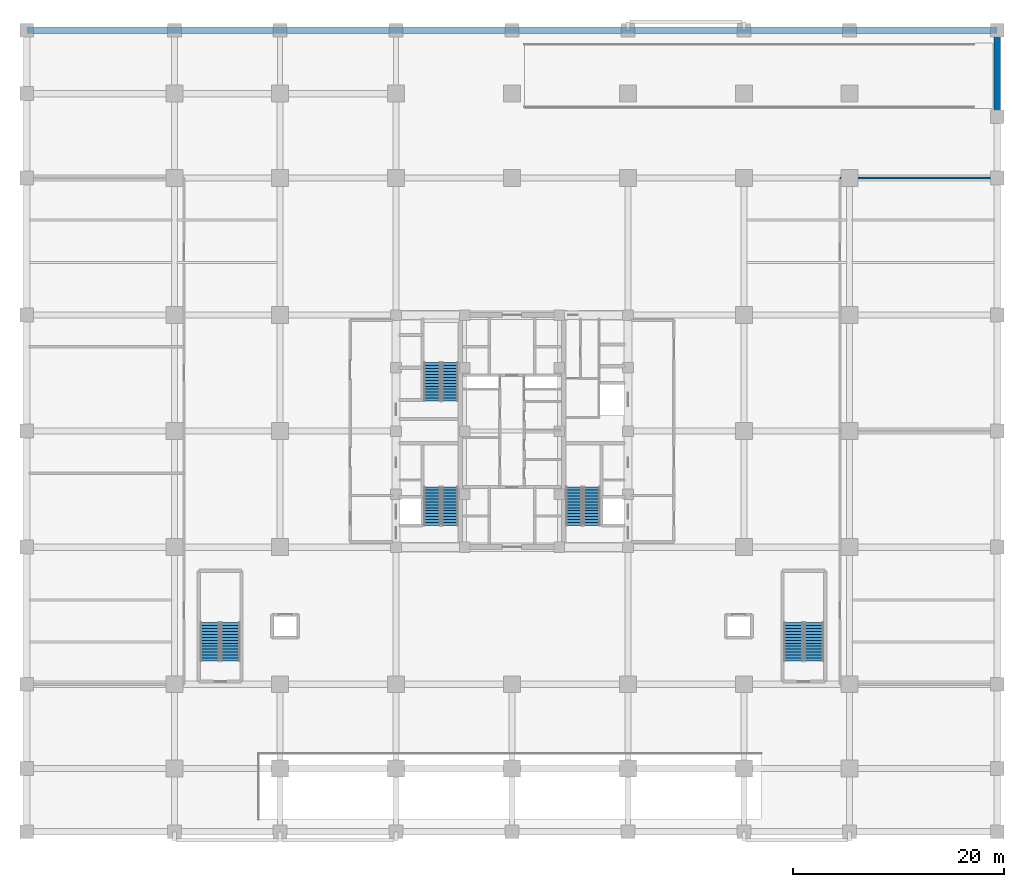
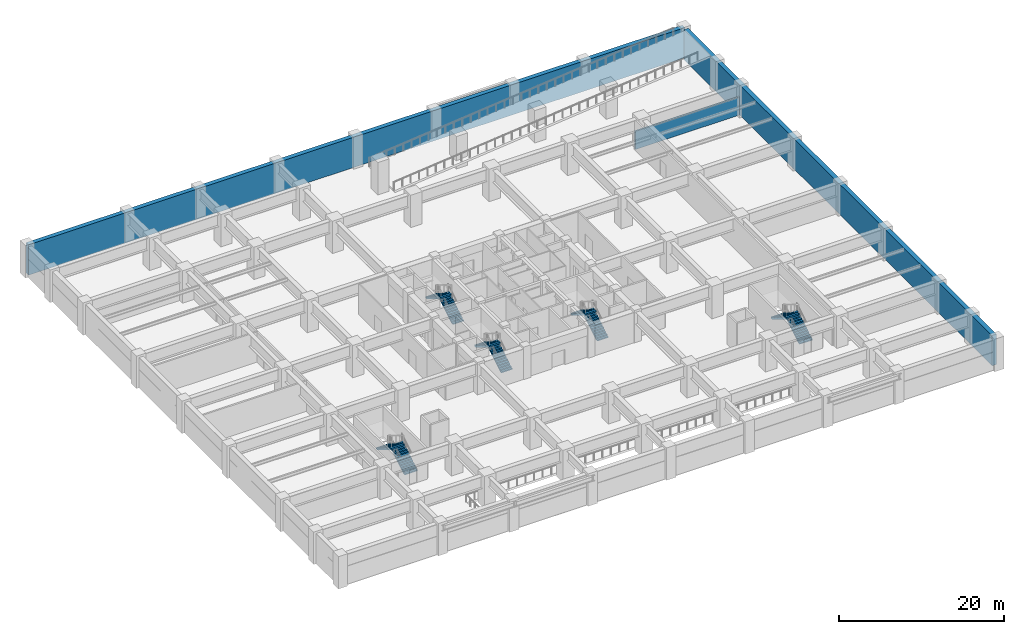
# One storey, part 8 of 13: 10 stair flights, 3 walls, 5 elements without a shape of their own.
"""IFC4 building model written with IfcOpenShell, lengths in metres."""

from ifc_helpers import new_model, si_unit, direction, frame, frame_2d, origin, place, context, subcontext, project, spatial, polyline, rectangle, outline, extrude, source, transform, mapped, material, layer, layer_set, type_object, element, aggregate, save


model = new_model("IFC4")

# Units and contexts
model_context = context("Model", 3, precision=1e-05, world=origin(), true_north=direction((0.0, 1.0)))
body_context = subcontext(model_context, "Body", "Model", "MODEL_VIEW")
ifc_project = project(units=[si_unit("LENGTHUNIT", "METRE"), si_unit("AREAUNIT", "SQUARE_METRE"), si_unit("VOLUMEUNIT", "CUBIC_METRE"), si_unit("PLANEANGLEUNIT", "RADIAN"), si_unit("MASSUNIT", "GRAM", prefix="KILO")], contexts=[model_context])

# Site, building, storey
site_placement = place(None, origin())
site = spatial("IfcSite", under=ifc_project, at=site_placement, CompositionType="ELEMENT")
building_placement = place(site_placement, origin())
building = spatial("IfcBuilding", under=site, at=building_placement, Name="Khorayat Bourse Tower", CompositionType="ELEMENT")
storey_placement = place(building_placement, frame((0.0, 0.0, -4.800048828125)))
storey = spatial("IfcBuildingStorey", under=building, at=storey_placement, Name="B01", CompositionType="ELEMENT", Elevation=-4.800048828125)

# Walls
ifc_material_1 = material(Name="Concrete C50/60", Category="concrete")
ifc_layer_1 = layer(ifc_material_1, 0.60009765625)
ifc_layer_set_1 = layer_set([ifc_layer_1], Name="Concrete C50/60")
wall_type_1 = type_object("IfcWallType", Name="WAL-RET-600", PredefinedType="USERDEFINED", material=ifc_layer_set_1)
shared_shape_1 = source(origin(), body_context, "Body", "SweptSolid", [
    extrude(rectangle(XDim=92.0, YDim=0.60009765625, at=frame_2d((46.0, 0.0))), origin(), (0.0, 0.0, 1.0), 4.47998046875),
])
wall_1_placement = place(storey_placement, frame((-46.0, 38.0, 0.0), z_axis=(0.0, 0.0, 1.0), x_axis=(1.0, 0.0, 0.0)))
element("IfcWall", 1, at=wall_1_placement, inside=storey, type_object=wall_type_1, Name="B01 Perimeter Retaining Wall N", ObjectType="RETAINING WALL", PredefinedType="USERDEFINED", context=body_context, shape_type="MappedRepresentation", body=[
    mapped(shared_shape_1, transform((0.0, 0.0, 0.0), scale=1.0)),
])
shared_shape_2 = source(origin(), body_context, "Body", "SweptSolid", [
    extrude(rectangle(XDim=74.7998046875, YDim=0.60009765625, at=frame_2d((37.39990234375, 0.0))), origin(), (0.0, 0.0, 1.0), 4.47998046875),
])
wall_2_placement = place(storey_placement, frame((46.0, -37.39990234375, 0.0), z_axis=(0.0, 0.0, 1.0), x_axis=(0.0, 1.0, 0.0)))
element("IfcWall", 2, at=wall_2_placement, inside=storey, type_object=wall_type_1, Name="B01 Perimeter Retaining Wall E", ObjectType="RETAINING WALL", PredefinedType="USERDEFINED", context=body_context, shape_type="MappedRepresentation", body=[
    mapped(shared_shape_2, transform((0.0, 0.0, 0.0), scale=1.0)),
])
ifc_material_2 = material(Name="Aerated concrete blockwork", Category="masonry")
ifc_layer_2 = layer(ifc_material_2, 0.219970703125)
ifc_layer_set_2 = layer_set([ifc_layer_2], Name="Aerated concrete blockwork")
wall_type_2 = type_object("IfcWallType", Name="WAL-PART-FF-220", PredefinedType="PARTITIONING", material=ifc_layer_set_2)
shared_shape_3 = source(origin(), body_context, "Body", "SweptSolid", [
    extrude(rectangle(XDim=14.699951171875, YDim=0.219970703125, at=frame_2d((7.35009765625, 0.0))), origin(), (0.0, 0.0, 1.0), 2.679931640625),
])
wall_3_placement = place(storey_placement, frame((31.10009765625, 24.0, 0.0), z_axis=(0.0, 0.0, 1.0), x_axis=(1.0, 0.0, 0.0)))
element("IfcWall", 3, at=wall_3_placement, inside=storey, type_object=wall_type_2, Name="B01 Partition WAL-B01-BE-N", PredefinedType="PARTITIONING", context=body_context, shape_type="MappedRepresentation", body=[
    mapped(shared_shape_3, transform((0.0, 0.0, 0.0), scale=1.0)),
])

# Stair, stair flights
ifc_material_3 = material(Name="Concrete C40/50", Category="concrete")
stair_type_1 = type_object("IfcStairType", Name="STR-CORE-1550", PredefinedType="HALF_TURN_STAIR", material=ifc_material_3)
stair_1_placement = place(storey_placement, origin())
stair_1 = element("IfcStair", 4, at=stair_1_placement, inside=storey, type_object=stair_type_1, Name="B01 Exit Stair ST-1", PredefinedType="HALF_TURN_STAIR")
stair_flight_type_1 = type_object("IfcStairFlightType", Name="FLT-CORE-1550", PredefinedType="STRAIGHT", material=ifc_material_3)
shared_shape_4 = source(origin(), body_context, "Body", "SweptSolid", [
    extrude(outline(polyline([(0.0, 0.0), (0.0, 0.17138671875), (0.280029296875, 0.17138671875), (0.280029296875, 0.3427734375), (0.56005859375, 0.3427734375), (0.56005859375, 0.514404296875), (0.840087890625, 0.514404296875), (0.840087890625, 0.685791015625), (1.1201171875, 0.685791015625), (1.1201171875, 0.857177734375), (1.39990234375, 0.857177734375), (1.39990234375, 1.028564453125), (1.679931640625, 1.028564453125), (1.679931640625, 1.199951171875), (1.9599609375, 1.199951171875), (1.9599609375, 1.371337890625), (2.239990234375, 1.371337890625), (2.239990234375, 1.54296875), (2.52001953125, 1.54296875), (2.52001953125, 1.71435546875), (2.800048828125, 1.71435546875), (2.800048828125, 1.8857421875), (3.080078125, 1.8857421875), (3.080078125, 2.05712890625), (3.360107421875, 2.05712890625), (3.360107421875, 2.228515625), (3.639892578125, 2.228515625), (3.639892578125, 2.39990234375), (3.639892578125, 2.017578125), (0.344482421875, 0.0), (0.0, 0.0)])), frame((0.0, 0.77490234375, 0.0), z_axis=(0.0, -1.0, 0.0), x_axis=(1.0, 0.0, 0.0)), (0.0, 0.0, 1.0), 1.550048828125),
])
stair_flight_1_placement = place(storey_placement, frame((-5.875, -8.949951171875, 0.0), z_axis=(0.0, 0.0, 1.0), x_axis=(0.0, 1.0, 0.0)))
stair_flight_1 = element("IfcStairFlight", 5, at=stair_flight_1_placement, type_object=stair_flight_type_1, Name="ST-1 flight 1", NumberOfRisers=14, NumberOfTreads=13, PredefinedType="STRAIGHT", RiserHeight=0.171428571, TreadLength=0.28, context=body_context, shape_type="MappedRepresentation", body=[
    mapped(shared_shape_4, transform((0.0, 0.0, 0.0), scale=1.0)),
])
stair_flight_2_placement = place(storey_placement, frame((-7.574951171875, -5.31005859375, 2.400146484375), z_axis=(0.0, 0.0, 1.0), x_axis=(0.0, -1.0, 0.0)))
stair_flight_2 = element("IfcStairFlight", 6, at=stair_flight_2_placement, type_object=stair_flight_type_1, Name="ST-1 flight 2", NumberOfRisers=14, NumberOfTreads=13, PredefinedType="STRAIGHT", RiserHeight=0.171428571, TreadLength=0.28, context=body_context, shape_type="MappedRepresentation", body=[
    mapped(shared_shape_4, transform((0.0, 0.0, 0.0), scale=1.0)),
])
aggregate(stair_1, [stair_flight_1, stair_flight_2])

stair_2_placement = place(storey_placement, origin())
stair_2 = element("IfcStair", 7, at=stair_2_placement, inside=storey, type_object=stair_type_1, Name="B01 Exit Stair ST-2", PredefinedType="HALF_TURN_STAIR")
stair_flight_3_placement = place(storey_placement, frame((-5.875, 2.85009765625, 0.0), z_axis=(0.0, 0.0, 1.0), x_axis=(0.0, 1.0, 0.0)))
stair_flight_3 = element("IfcStairFlight", 8, at=stair_flight_3_placement, type_object=stair_flight_type_1, Name="ST-2 flight 1", NumberOfRisers=14, NumberOfTreads=13, PredefinedType="STRAIGHT", RiserHeight=0.171428571, TreadLength=0.28, context=body_context, shape_type="MappedRepresentation", body=[
    mapped(shared_shape_4, transform((0.0, 0.0, 0.0), scale=1.0)),
])
stair_flight_4_placement = place(storey_placement, frame((-7.574951171875, 6.489990234375, 2.400146484375), z_axis=(0.0, 0.0, 1.0), x_axis=(0.0, -1.0, 0.0)))
stair_flight_4 = element("IfcStairFlight", 9, at=stair_flight_4_placement, type_object=stair_flight_type_1, Name="ST-2 flight 2", NumberOfRisers=14, NumberOfTreads=13, PredefinedType="STRAIGHT", RiserHeight=0.171428571, TreadLength=0.28, context=body_context, shape_type="MappedRepresentation", body=[
    mapped(shared_shape_4, transform((0.0, 0.0, 0.0), scale=1.0)),
])
aggregate(stair_2, [stair_flight_3, stair_flight_4])

stair_3_placement = place(storey_placement, origin())
stair_3 = element("IfcStair", 10, at=stair_3_placement, inside=storey, type_object=stair_type_1, Name="B01 Exit Stair ST-3", PredefinedType="HALF_TURN_STAIR")
stair_flight_5_placement = place(storey_placement, frame((7.574951171875, -8.949951171875, 0.0), z_axis=(0.0, 0.0, 1.0), x_axis=(0.0, 1.0, 0.0)))
stair_flight_5 = element("IfcStairFlight", 11, at=stair_flight_5_placement, type_object=stair_flight_type_1, Name="ST-3 flight 1", NumberOfRisers=14, NumberOfTreads=13, PredefinedType="STRAIGHT", RiserHeight=0.171428571, TreadLength=0.28, context=body_context, shape_type="MappedRepresentation", body=[
    mapped(shared_shape_4, transform((0.0, 0.0, 0.0), scale=1.0)),
])
stair_flight_6_placement = place(storey_placement, frame((5.875, -5.31005859375, 2.400146484375), z_axis=(0.0, 0.0, 1.0), x_axis=(0.0, -1.0, 0.0)))
stair_flight_6 = element("IfcStairFlight", 12, at=stair_flight_6_placement, type_object=stair_flight_type_1, Name="ST-3 flight 2", NumberOfRisers=14, NumberOfTreads=13, PredefinedType="STRAIGHT", RiserHeight=0.171428571, TreadLength=0.28, context=body_context, shape_type="MappedRepresentation", body=[
    mapped(shared_shape_4, transform((0.0, 0.0, 0.0), scale=1.0)),
])
aggregate(stair_3, [stair_flight_5, stair_flight_6])

stair_type_2 = type_object("IfcStairType", Name="STR-POD-1800", PredefinedType="HALF_TURN_STAIR", material=ifc_material_3)
stair_4_placement = place(storey_placement, origin())
stair_4 = element("IfcStair", 13, at=stair_4_placement, inside=storey, type_object=stair_type_2, Name="B01 Exit Stair ST-P1", PredefinedType="HALF_TURN_STAIR")
stair_flight_type_2 = type_object("IfcStairFlightType", Name="FLT-POD-1800", PredefinedType="STRAIGHT", material=ifc_material_3)
shared_shape_5 = source(origin(), body_context, "Body", "SweptSolid", [
    extrude(outline(polyline([(0.0, 0.0), (0.0, 0.17138671875), (0.280029296875, 0.17138671875), (0.280029296875, 0.3427734375), (0.56005859375, 0.3427734375), (0.56005859375, 0.514404296875), (0.840087890625, 0.514404296875), (0.840087890625, 0.685791015625), (1.1201171875, 0.685791015625), (1.1201171875, 0.857177734375), (1.39990234375, 0.857177734375), (1.39990234375, 1.028564453125), (1.679931640625, 1.028564453125), (1.679931640625, 1.199951171875), (1.9599609375, 1.199951171875), (1.9599609375, 1.371337890625), (2.239990234375, 1.371337890625), (2.239990234375, 1.54296875), (2.52001953125, 1.54296875), (2.52001953125, 1.71435546875), (2.800048828125, 1.71435546875), (2.800048828125, 1.8857421875), (3.080078125, 1.8857421875), (3.080078125, 2.05712890625), (3.360107421875, 2.05712890625), (3.360107421875, 2.228515625), (3.639892578125, 2.228515625), (3.639892578125, 2.39990234375), (3.639892578125, 1.994140625), (0.383056640625, 0.0), (0.0, 0.0)])), frame((0.0, 0.89990234375, 0.0), z_axis=(0.0, -1.0, 0.0), x_axis=(1.0, 0.0, 0.0)), (0.0, 0.0, 1.0), 1.800048828125),
])
stair_flight_7_placement = place(storey_placement, frame((-26.699951171875, -21.800048828125, 0.0), z_axis=(0.0, 0.0, 1.0), x_axis=(0.0, 1.0, 0.0)))
stair_flight_7 = element("IfcStairFlight", 14, at=stair_flight_7_placement, type_object=stair_flight_type_2, Name="ST-P1 flight 1", NumberOfRisers=14, NumberOfTreads=13, PredefinedType="STRAIGHT", RiserHeight=0.171428571, TreadLength=0.28, context=body_context, shape_type="MappedRepresentation", body=[
    mapped(shared_shape_5, transform((0.0, 0.0, 0.0), scale=1.0)),
])
stair_flight_8_placement = place(storey_placement, frame((-28.64990234375, -18.159912109375, 2.400146484375), z_axis=(0.0, 0.0, 1.0), x_axis=(0.0, -1.0, 0.0)))
stair_flight_8 = element("IfcStairFlight", 15, at=stair_flight_8_placement, type_object=stair_flight_type_2, Name="ST-P1 flight 2", NumberOfRisers=14, NumberOfTreads=13, PredefinedType="STRAIGHT", RiserHeight=0.171428571, TreadLength=0.28, context=body_context, shape_type="MappedRepresentation", body=[
    mapped(shared_shape_5, transform((0.0, 0.0, 0.0), scale=1.0)),
])
aggregate(stair_4, [stair_flight_7, stair_flight_8])

stair_5_placement = place(storey_placement, origin())
stair_5 = element("IfcStair", 16, at=stair_5_placement, inside=storey, type_object=stair_type_2, Name="B01 Exit Stair ST-P2", PredefinedType="HALF_TURN_STAIR")
stair_flight_9_placement = place(storey_placement, frame((28.64990234375, -21.800048828125, 0.0), z_axis=(0.0, 0.0, 1.0), x_axis=(0.0, 1.0, 0.0)))
stair_flight_9 = element("IfcStairFlight", 17, at=stair_flight_9_placement, type_object=stair_flight_type_2, Name="ST-P2 flight 1", NumberOfRisers=14, NumberOfTreads=13, PredefinedType="STRAIGHT", RiserHeight=0.171428571, TreadLength=0.28, context=body_context, shape_type="MappedRepresentation", body=[
    mapped(shared_shape_5, transform((0.0, 0.0, 0.0), scale=1.0)),
])
stair_flight_10_placement = place(storey_placement, frame((26.699951171875, -18.159912109375, 2.400146484375), z_axis=(0.0, 0.0, 1.0), x_axis=(0.0, -1.0, 0.0)))
stair_flight_10 = element("IfcStairFlight", 18, at=stair_flight_10_placement, type_object=stair_flight_type_2, Name="ST-P2 flight 2", NumberOfRisers=14, NumberOfTreads=13, PredefinedType="STRAIGHT", RiserHeight=0.171428571, TreadLength=0.28, context=body_context, shape_type="MappedRepresentation", body=[
    mapped(shared_shape_5, transform((0.0, 0.0, 0.0), scale=1.0)),
])
aggregate(stair_5, [stair_flight_9, stair_flight_10])

save(model, "model.ifc")
